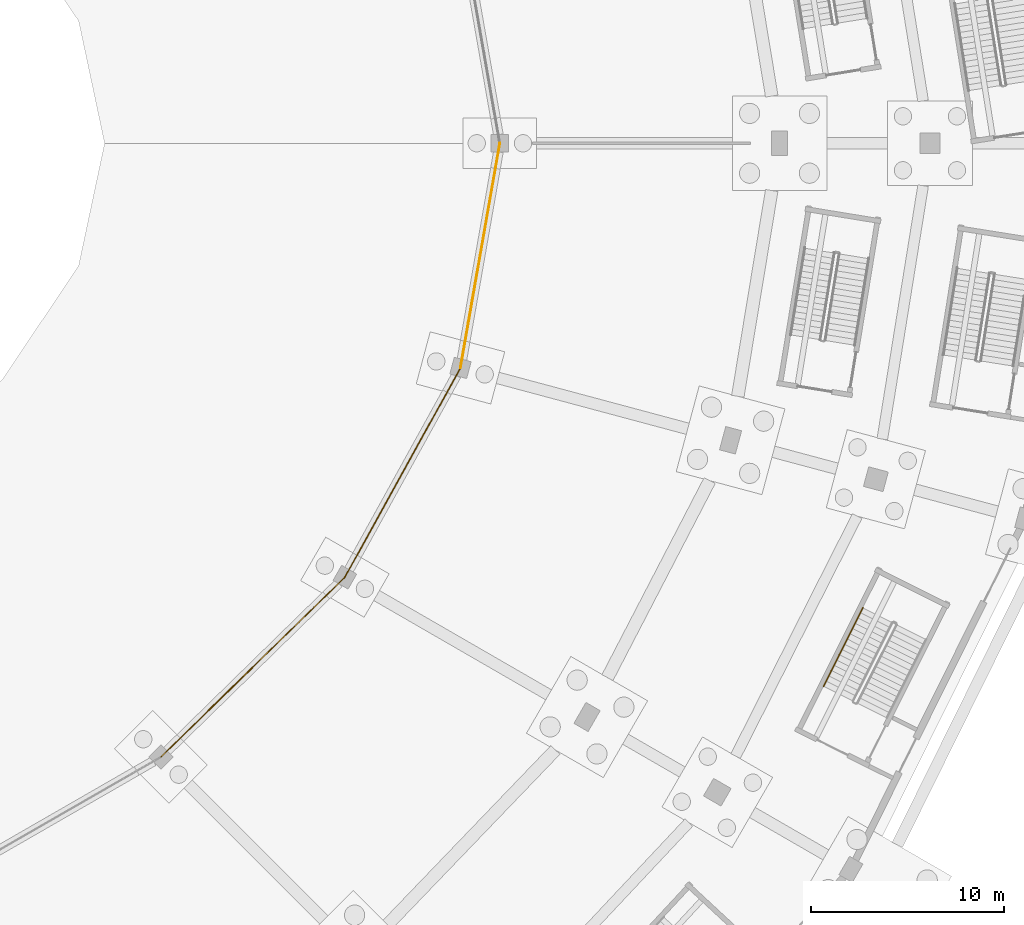
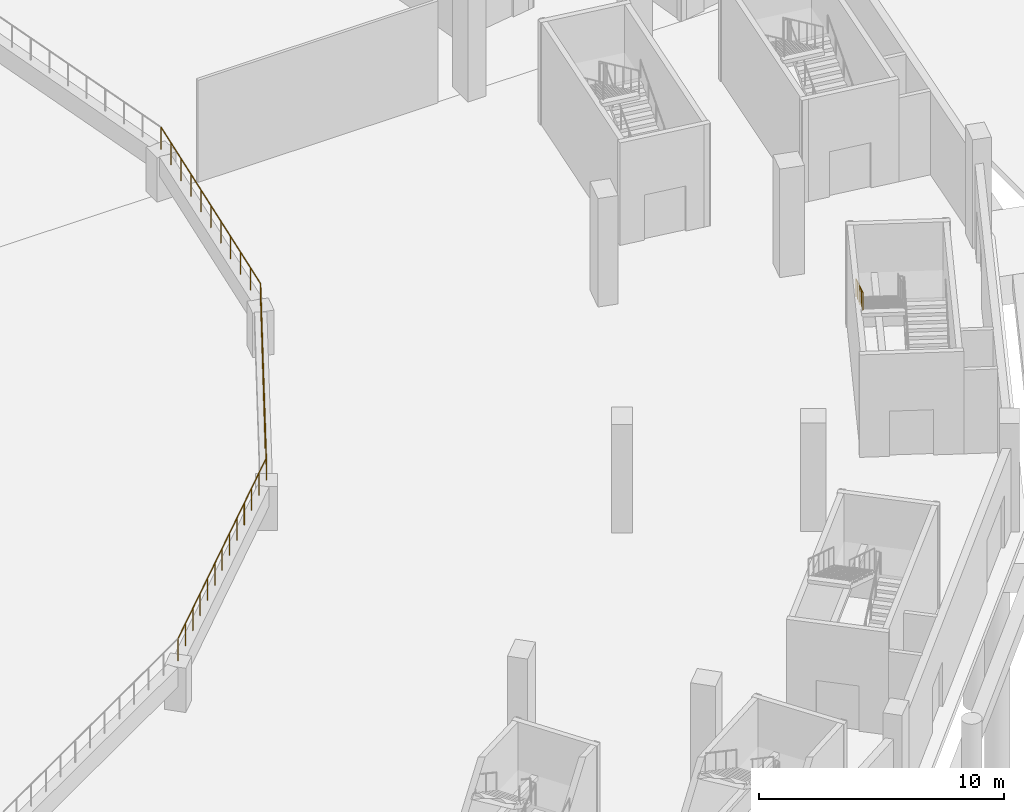
# One storey, part 76 of 103: 4 railings.
"""IFC4 building model written with IfcOpenShell, lengths in metres."""

import ifcopenshell
import ifcopenshell.guid

model = None  # the IFC model being written
_history = None  # IfcOwnerHistory: only IFC2X3 demands one
_inside = {}  # id of a spatial element -> (the spatial element, [elements in it])
_under = {}  # id of a project, library or spatial element -> (it, [spatial elements below it])
_declared = {}  # id of a project -> (the project, [libraries it declares])
_typed = {}  # id of a type object -> (the type object, [elements of that type])
_made_of = {}  # id of a material, layer set ... -> (it, [elements and type objects made of it])


def new_model(schema):
    """Start an empty IFC model of exactly this schema.

    Asked for "IFC4X3", IfcOpenShell would pick the latest addendum, in which some entities
    have other attributes; the version numbers below select the first issue.
    IFC2X3 requires an IfcOwnerHistory on every rooted entity: one is made here for all.
    """
    global model, _history
    if schema == "IFC4X3":
        model = ifcopenshell.file(schema_version=(4, 3, 0, 0))
    else:
        model = ifcopenshell.file(schema=schema)
    _inside.clear()
    _under.clear()
    _declared.clear()
    _typed.clear()
    _made_of.clear()
    _history = None
    if model.schema == "IFC2X3":
        org = make("IfcOrganization", Name="unknown")
        user = make(
            "IfcPersonAndOrganization",
            ThePerson=make("IfcPerson", FamilyName="unknown"),
            TheOrganization=org,
        )
        app = make(
            "IfcApplication",
            ApplicationDeveloper=org,
            Version="unknown",
            ApplicationFullName="unknown",
            ApplicationIdentifier="unknown",
        )
        _history = make(
            "IfcOwnerHistory",
            OwningUser=user,
            OwningApplication=app,
            ChangeAction="ADDED",
            CreationDate=0,
        )
    return model


def make(cls, **values):
    """One entity of the class cls with the attributes given. An attribute that is None is left unset."""
    return model.create_entity(
        cls, **{name: value for name, value in values.items() if value is not None}
    )


def rooted(cls, **values):
    """An entity with a GlobalId (a new one), such as an element, a storey or a relation."""
    return make(cls, GlobalId=ifcopenshell.guid.new(), OwnerHistory=_history, **values)


def si_unit(unit_type, name, prefix=None):
    """IfcSIUnit, for example si_unit("LENGTHUNIT", "METRE", prefix="MILLI")."""
    return make("IfcSIUnit", UnitType=unit_type, Prefix=prefix, Name=name)


def assignment(units):
    """IfcUnitAssignment: the units of a project."""
    return None if units is None else make("IfcUnitAssignment", Units=units)


def point(xyz):
    """IfcCartesianPoint."""
    return None if xyz is None else make("IfcCartesianPoint", Coordinates=xyz)


def direction(xyz):
    """IfcDirection."""
    return None if xyz is None else make("IfcDirection", DirectionRatios=xyz)


def frame(location, z_axis=None, x_axis=None):
    """IfcAxis2Placement3D, a coordinate frame: its origin and axes. An axis left out is left unset."""
    return make(
        "IfcAxis2Placement3D",
        Location=point(location),
        Axis=direction(z_axis),
        RefDirection=direction(x_axis),
    )


def frame_2d(location, x_axis=None):
    """IfcAxis2Placement2D, a coordinate frame in the plane: its origin and x axis."""
    return make(
        "IfcAxis2Placement2D", Location=point(location), RefDirection=direction(x_axis)
    )


def origin():
    """The frame at (0, 0, 0) with its axes left unset."""
    return frame((0.0, 0.0, 0.0))


def origin_2d():
    """The frame at (0, 0) in the plane with its x axis left unset."""
    return frame_2d((0.0, 0.0))


def place(relative_to, where):
    """IfcLocalPlacement: puts the frame where relative to a parent placement (None: the world)."""
    return make(
        "IfcLocalPlacement", PlacementRelTo=relative_to, RelativePlacement=where
    )


def context(
    kind, dimensions, precision=None, world=None, true_north=None, identifier=None
):
    """IfcGeometricRepresentationContext, for example the 3D "Model" context."""
    return make(
        "IfcGeometricRepresentationContext",
        ContextIdentifier=identifier,
        ContextType=kind,
        CoordinateSpaceDimension=dimensions,
        Precision=precision,
        WorldCoordinateSystem=world,
        TrueNorth=true_north,
    )


def subcontext(parent, identifier, kind, view, scale=None):
    """IfcGeometricRepresentationSubContext, for example "Body" below "Model"."""
    return make(
        "IfcGeometricRepresentationSubContext",
        ContextIdentifier=identifier,
        ContextType=kind,
        ParentContext=parent,
        TargetScale=scale,
        TargetView=view,
    )


def project(units=None, contexts=None):
    """IfcProject with its units and contexts."""
    return rooted(
        "IfcProject",
        Name="project",
        RepresentationContexts=contexts,
        UnitsInContext=assignment(units),
    )


def spatial(cls, under=None, at=None, **own):
    """A site, building, storey or space (cls), placed at a placement, below another one or the project."""
    s = rooted(cls, ObjectPlacement=at, **own)
    if under is not None:
        _under.setdefault(under.id(), (under, []))[1].append(s)
    return s


def profile(cls, at=None, kind="AREA", **sizes):
    """A parametric profile (cls). Its sizes go by their IFC names, for example OverallWidth=200.0."""
    return make(cls, ProfileType=kind, Position=at, **sizes)


def circle(**sizes):
    """IfcCircleProfileDef."""
    return profile("IfcCircleProfileDef", **sizes)


def extrude(swept, where, along, depth):
    """IfcExtrudedAreaSolid: the profile swept, set in the frame where, extruded along a direction by depth."""
    return make(
        "IfcExtrudedAreaSolid",
        SweptArea=swept,
        Position=where,
        ExtrudedDirection=direction(along),
        Depth=depth,
    )


def shape(context_of_items, identifier, shape_type, items):
    """IfcShapeRepresentation: the items that make up one representation, for example the "Body"."""
    return make(
        "IfcShapeRepresentation",
        ContextOfItems=context_of_items,
        RepresentationIdentifier=identifier,
        RepresentationType=shape_type,
        Items=items,
    )


def material(Name=None, Category=None):
    """IfcMaterial."""
    return make("IfcMaterial", Name=Name, Category=Category)


def made_of(thing, what):
    """Note that an element or type object is made of a material, layer set ...; save() writes the relation."""
    if what is not None:
        _made_of.setdefault(what.id(), (what, []))[1].append(thing)
    return thing


def type_object(cls, material=None, **own):
    """A type object (cls), such as IfcWallType, which elements share."""
    return made_of(rooted(cls, **own), material)


def element(
    cls,
    number,
    at=None,
    inside=None,
    cuts=None,
    type_object=None,
    material=None,
    context=None,
    identifier="Body",
    shape_type=None,
    held_by="IfcProductDefinitionShape",
    body=None,
    shapes=None,
    **own,
):
    """One element of the class cls, such as IfcWall. Its Tag is "e" and its number.

    at: its placement. inside: the storey or other place that contains it. cuts: it is an
    opening in that element (IfcRelVoidsElement). A single representation is given by context,
    identifier, shape_type and body (its items); several are given by shapes. held_by: the class
    of the entity that holds the representations. save() writes the other relations.
    """
    e = rooted(cls, Tag="e%d" % number, ObjectPlacement=at, **own)
    if body is not None:
        shapes = [shape(context, identifier, shape_type, body)]
    if shapes is not None:
        e.Representation = make(held_by, Representations=shapes)
    if inside is not None:
        _inside.setdefault(inside.id(), (inside, []))[1].append(e)
    if cuts is not None:
        rooted(
            "IfcRelVoidsElement", RelatingBuildingElement=cuts, RelatedOpeningElement=e
        )
    if type_object is not None:
        _typed.setdefault(type_object.id(), (type_object, []))[1].append(e)
    return made_of(e, material)


def aggregate(whole, parts):
    """IfcRelAggregates: a whole, such as a stair, and the parts it consists of."""
    return rooted("IfcRelAggregates", RelatingObject=whole, RelatedObjects=parts)


def save(model, path):
    """Write the relations noted so far, then the file.

    IfcRelAggregates (storeys below a building ...), IfcRelContainedInSpatialStructure (elements
    in a storey), IfcRelDefinesByType, IfcRelAssociatesMaterial and IfcRelDeclares: one each for
    every whole, place, type object, material and project.
    """
    for whole, parts in _under.values():
        aggregate(whole, parts)
    for where, things in _inside.values():
        rooted(
            "IfcRelContainedInSpatialStructure",
            RelatedElements=things,
            RelatingStructure=where,
        )
    for kind, things in _typed.values():
        rooted("IfcRelDefinesByType", RelatedObjects=things, RelatingType=kind)
    for what, things in _made_of.values():
        rooted("IfcRelAssociatesMaterial", RelatedObjects=things, RelatingMaterial=what)
    for by, libraries in _declared.values():
        rooted("IfcRelDeclares", RelatingContext=by, RelatedDefinitions=libraries)
    model.write(path)


model = new_model("IFC4")

# Units and contexts
model_context = context("Model", 3, precision=1e-05, world=origin(), true_north=direction((0.0, 1.0)))
body_context = subcontext(model_context, "Body", "Model", "MODEL_VIEW")
ifc_project = project(units=[si_unit("LENGTHUNIT", "METRE"), si_unit("AREAUNIT", "SQUARE_METRE"), si_unit("VOLUMEUNIT", "CUBIC_METRE"), si_unit("PLANEANGLEUNIT", "RADIAN"), si_unit("MASSUNIT", "GRAM", prefix="KILO")], contexts=[model_context])

# Site, building, storey
site_placement = place(None, origin())
site = spatial("IfcSite", under=ifc_project, at=site_placement, CompositionType="ELEMENT")
building_placement = place(site_placement, origin())
building = spatial("IfcBuilding", under=site, at=building_placement, Name="Zevraka Park Crest Stadium", CompositionType="ELEMENT")
storey_placement = place(building_placement, origin())
storey = spatial("IfcBuildingStorey", under=building, at=storey_placement, Name="L00", CompositionType="ELEMENT", Elevation=0.0)

# Railings
ifc_material_1 = material(Name="Laminated glass and stainless steel sightline bowl guard", Category="steel")
railing_type_1 = type_object("IfcRailingType", Name="GR02", PredefinedType="GUARDRAIL", material=ifc_material_1)
railing_1_placement = place(storey_placement, frame((154.426025390625, 60.179931640625, 2.199951171875)))
element("IfcRailing", 1, at=railing_1_placement, inside=storey, type_object=railing_type_1, Name="Lower Tier Pitch Sightline Guard GR02 21", PredefinedType="GUARDRAIL", context=body_context, shape_type="SweptSolid", body=[
    extrude(circle(Radius=0.02392578125, at=origin_2d()), frame((0.0, 0.0, 1.09619140625), z_axis=(0.715153296212, 0.698967640823, 0.0), x_axis=(-0.698967640823, 0.715153296212, 0.0)), (0.0, 0.0, 1.0), 13.333984375),
    extrude(circle(Radius=0.02099609375, at=origin_2d()), origin(), (0.0, 0.0, 1.0), 1.072021484375),
    extrude(circle(Radius=0.02099609375, at=origin_2d()), frame((0.794677734375, 0.776611328125, 0.0)), (0.0, 0.0, 1.0), 1.072021484375),
    extrude(circle(Radius=0.02099609375, at=origin_2d()), frame((1.58935546875, 1.55322265625, 0.0)), (0.0, 0.0, 1.0), 1.072021484375),
    extrude(circle(Radius=0.02099609375, at=origin_2d()), frame((2.384033203125, 2.330078125, 0.0)), (0.0, 0.0, 1.0), 1.072021484375),
    extrude(circle(Radius=0.02099609375, at=origin_2d()), frame((3.1787109375, 3.106689453125, 0.0)), (0.0, 0.0, 1.0), 1.072021484375),
    extrude(circle(Radius=0.02099609375, at=origin_2d()), frame((3.973388671875, 3.88330078125, 0.0)), (0.0, 0.0, 1.0), 1.072021484375),
    extrude(circle(Radius=0.02099609375, at=origin_2d()), frame((4.76806640625, 4.66015625, 0.0)), (0.0, 0.0, 1.0), 1.072021484375),
    extrude(circle(Radius=0.02099609375, at=origin_2d()), frame((5.5625, 5.436767578125, 0.0)), (0.0, 0.0, 1.0), 1.072021484375),
    extrude(circle(Radius=0.02099609375, at=origin_2d()), frame((6.357177734375, 6.21337890625, 0.0)), (0.0, 0.0, 1.0), 1.072021484375),
    extrude(circle(Radius=0.02099609375, at=origin_2d()), frame((7.15185546875, 6.989990234375, 0.0)), (0.0, 0.0, 1.0), 1.072021484375),
    extrude(circle(Radius=0.02099609375, at=origin_2d()), frame((7.946533203125, 7.7666015625, 0.0)), (0.0, 0.0, 1.0), 1.072021484375),
    extrude(circle(Radius=0.02099609375, at=origin_2d()), frame((8.7412109375, 8.54345703125, 0.0)), (0.0, 0.0, 1.0), 1.072021484375),
    extrude(circle(Radius=0.02099609375, at=origin_2d()), frame((9.535888671875, 9.320068359375, 0.0)), (0.0, 0.0, 1.0), 1.072021484375),
])
railing_2_placement = place(storey_placement, frame((163.9619140625, 69.5, 2.199951171875)))
element("IfcRailing", 2, at=railing_2_placement, inside=storey, type_object=railing_type_1, Name="Lower Tier Pitch Sightline Guard GR02 22", PredefinedType="GUARDRAIL", context=body_context, shape_type="SweptSolid", body=[
    extrude(circle(Radius=0.02392578125, at=origin_2d()), frame((0.0, 0.0, 1.09619140625), z_axis=(0.483464590842, 0.875363918266, 0.0), x_axis=(-0.875363918266, 0.483464590842, 0.0)), (0.0, 0.0, 1.0), 12.398193359375),
    extrude(circle(Radius=0.02099609375, at=origin_2d()), origin(), (0.0, 0.0, 1.0), 1.072021484375),
    extrude(circle(Radius=0.02099609375, at=origin_2d()), frame((0.544921875, 0.986572265625, 0.0)), (0.0, 0.0, 1.0), 1.072021484375),
    extrude(circle(Radius=0.02099609375, at=origin_2d()), frame((1.08984375, 1.973388671875, 0.0)), (0.0, 0.0, 1.0), 1.072021484375),
    extrude(circle(Radius=0.02099609375, at=origin_2d()), frame((1.634765625, 2.9599609375, 0.0)), (0.0, 0.0, 1.0), 1.072021484375),
    extrude(circle(Radius=0.02099609375, at=origin_2d()), frame((2.1796875, 3.946533203125, 0.0)), (0.0, 0.0, 1.0), 1.072021484375),
    extrude(circle(Radius=0.02099609375, at=origin_2d()), frame((2.724609375, 4.93310546875, 0.0)), (0.0, 0.0, 1.0), 1.072021484375),
    extrude(circle(Radius=0.02099609375, at=origin_2d()), frame((3.26953125, 5.919921875, 0.0)), (0.0, 0.0, 1.0), 1.072021484375),
    extrude(circle(Radius=0.02099609375, at=origin_2d()), frame((3.814453125, 6.906494140625, 0.0)), (0.0, 0.0, 1.0), 1.072021484375),
    extrude(circle(Radius=0.02099609375, at=origin_2d()), frame((4.359375, 7.89306640625, 0.0)), (0.0, 0.0, 1.0), 1.072021484375),
    extrude(circle(Radius=0.02099609375, at=origin_2d()), frame((4.904296875, 8.879638671875, 0.0)), (0.0, 0.0, 1.0), 1.072021484375),
    extrude(circle(Radius=0.02099609375, at=origin_2d()), frame((5.44921875, 9.866455078125, 0.0)), (0.0, 0.0, 1.0), 1.072021484375),
    extrude(circle(Radius=0.02099609375, at=origin_2d()), frame((5.994140625, 10.85302734375, 0.0)), (0.0, 0.0, 1.0), 1.072021484375),
])
railing_3_placement = place(storey_placement, frame((169.9560546875, 80.35302734375, 2.199951171875)))
element("IfcRailing", 3, at=railing_3_placement, inside=storey, type_object=railing_type_1, Name="Lower Tier Pitch Sightline Guard GR02 23", PredefinedType="GUARDRAIL", context=body_context, shape_type="SweptSolid", body=[
    extrude(circle(Radius=0.02392578125, at=origin_2d()), frame((0.0, 0.0, 1.09619140625), z_axis=(0.172850079184, 0.984948145907, 0.0), x_axis=(-0.984948145907, 0.172850079184, 0.0)), (0.0, 0.0, 1.0), 11.824951171875),
    extrude(circle(Radius=0.02099609375, at=origin_2d()), origin(), (0.0, 0.0, 1.0), 1.072021484375),
    extrude(circle(Radius=0.02099609375, at=origin_2d()), frame((0.204345703125, 1.164794921875, 0.0)), (0.0, 0.0, 1.0), 1.072021484375),
    extrude(circle(Radius=0.02099609375, at=origin_2d()), frame((0.40869140625, 2.329345703125, 0.0)), (0.0, 0.0, 1.0), 1.072021484375),
    extrude(circle(Radius=0.02099609375, at=origin_2d()), frame((0.61328125, 3.494140625, 0.0)), (0.0, 0.0, 1.0), 1.072021484375),
    extrude(circle(Radius=0.02099609375, at=origin_2d()), frame((0.817626953125, 4.65869140625, 0.0)), (0.0, 0.0, 1.0), 1.072021484375),
    extrude(circle(Radius=0.02099609375, at=origin_2d()), frame((1.02197265625, 5.823486328125, 0.0)), (0.0, 0.0, 1.0), 1.072021484375),
    extrude(circle(Radius=0.02099609375, at=origin_2d()), frame((1.226318359375, 6.98828125, 0.0)), (0.0, 0.0, 1.0), 1.072021484375),
    extrude(circle(Radius=0.02099609375, at=origin_2d()), frame((1.4306640625, 8.15283203125, 0.0)), (0.0, 0.0, 1.0), 1.072021484375),
    extrude(circle(Radius=0.02099609375, at=origin_2d()), frame((1.63525390625, 9.317626953125, 0.0)), (0.0, 0.0, 1.0), 1.072021484375),
    extrude(circle(Radius=0.02099609375, at=origin_2d()), frame((1.839599609375, 10.482177734375, 0.0)), (0.0, 0.0, 1.0), 1.072021484375),
    extrude(circle(Radius=0.02099609375, at=origin_2d()), frame((2.0439453125, 11.64697265625, 0.0)), (0.0, 0.0, 1.0), 1.072021484375),
])
ifc_material_2 = material(Name="Brushed stainless steel continuous handrail", Category="steel")
railing_type_2 = type_object("IfcRailingType", Name="HR01", PredefinedType="HANDRAIL", material=ifc_material_2)
railing_4_placement = place(storey_placement, frame((190.828857421875, 67.933349609375, 2.86865234375)))
element("IfcRailing", 4, at=railing_4_placement, inside=storey, type_object=railing_type_2, Name="L00 ST23 stair handrail 2", PredefinedType="HANDRAIL", context=body_context, shape_type="SweptSolid", body=[
    extrude(circle(Radius=0.02392578125, at=origin_2d()), frame((0.0, 0.0, 0.8759765625), z_axis=(-0.391907807358, -0.782321387403, 0.484129649313), x_axis=(0.89408539104, -0.447896543333, 0.0)), (0.0, 0.0, 1.0), 5.228515625),
    extrude(circle(Radius=0.02099609375, at=origin_2d()), origin(), (0.0, 0.0, 1.0), 0.851806640625),
    extrude(circle(Radius=0.02099609375, at=origin_2d()), frame((-0.409912109375, -0.818115234375, 0.50634765625)), (0.0, 0.0, 1.0), 0.851806640625),
    extrude(circle(Radius=0.02099609375, at=origin_2d()), frame((-0.819580078125, -1.63623046875, 1.012451171875)), (0.0, 0.0, 1.0), 0.851806640625),
    extrude(circle(Radius=0.02099609375, at=origin_2d()), frame((-1.2294921875, -2.4541015625, 1.518798828125)), (0.0, 0.0, 1.0), 0.851806640625),
    extrude(circle(Radius=0.02099609375, at=origin_2d()), frame((-1.63916015625, -3.272216796875, 2.02490234375)), (0.0, 0.0, 1.0), 0.851806640625),
    extrude(circle(Radius=0.02099609375, at=origin_2d()), frame((-2.049072265625, -4.09033203125, 2.53125)), (0.0, 0.0, 1.0), 0.851806640625),
])

save(model, "model.ifc")
